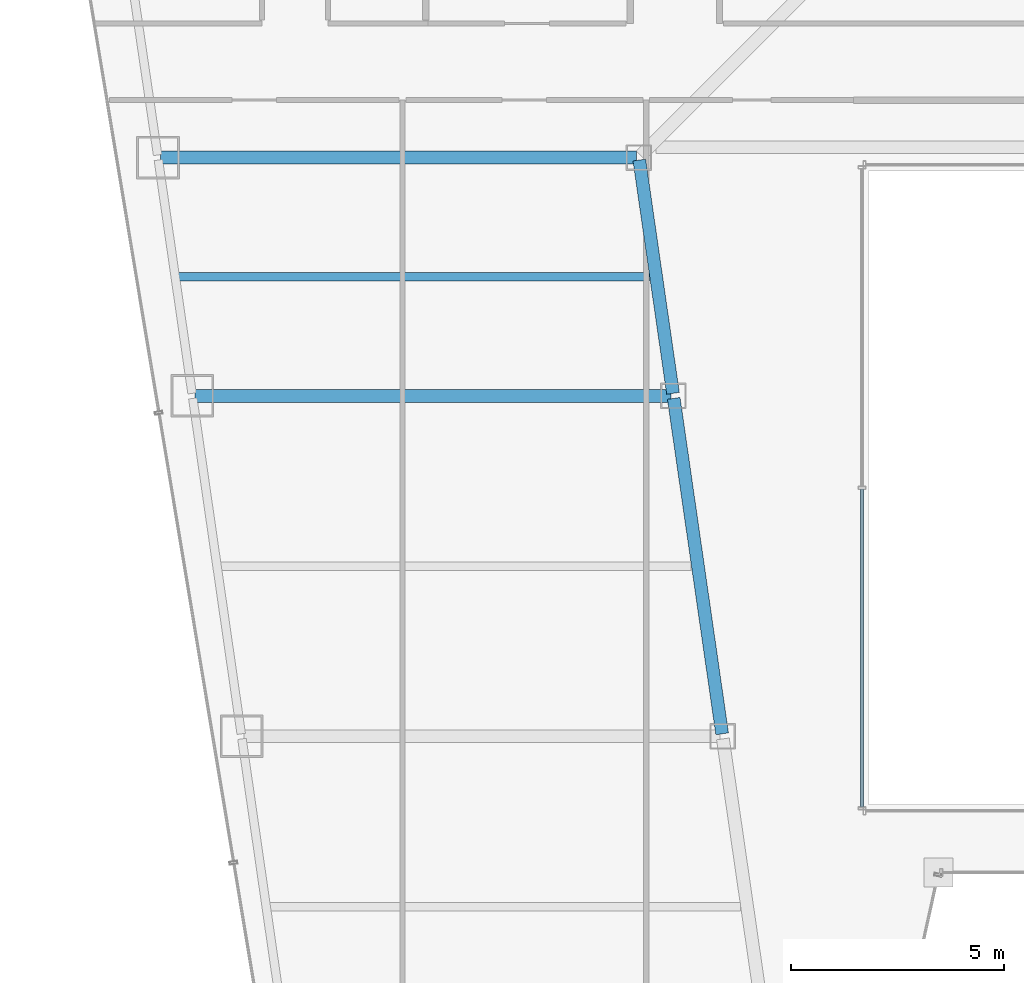
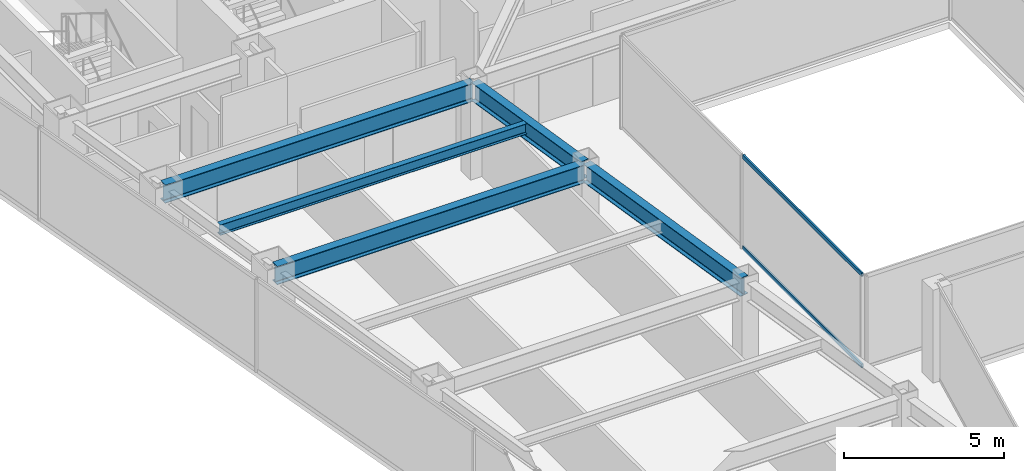
# One storey, part 10 of 38: 5 beams, 2 members, 1 element without a shape of its own.
"""IFC4 building model written with IfcOpenShell, lengths in metres."""

from ifc_helpers import new_model, si_unit, direction, frame, origin, origin_2d, place, context, subcontext, project, spatial, hollow_rectangle, i_section, extrude, material, material_profile, profile_set, type_object, element, aggregate, save


model = new_model("IFC4")

# Units and contexts
model_context = context("Model", 3, precision=1e-05, world=origin(), true_north=direction((0.0, 1.0)))
body_context = subcontext(model_context, "Body", "Model", "MODEL_VIEW")
ifc_project = project(units=[si_unit("LENGTHUNIT", "METRE"), si_unit("AREAUNIT", "SQUARE_METRE"), si_unit("VOLUMEUNIT", "CUBIC_METRE"), si_unit("PLANEANGLEUNIT", "RADIAN"), si_unit("MASSUNIT", "GRAM", prefix="KILO")], contexts=[model_context])

# Site, building, storey
site_placement = place(None, origin())
site = spatial("IfcSite", under=ifc_project, at=site_placement, CompositionType="ELEMENT")
building_placement = place(site_placement, origin())
building = spatial("IfcBuilding", under=site, at=building_placement, Name="Saevonmaru Cultural Tower", CompositionType="ELEMENT")
storey_placement = place(building_placement, frame((0.0, 0.0, 133.39990234375)))
storey = spatial("IfcBuildingStorey", under=building, at=storey_placement, Name="L28", CompositionType="ELEMENT", Elevation=133.39990234375)

# Beams
ifc_material_1 = material(Name="Steel SM355", Category="steel")
ifc_material_profile_1 = material_profile(ifc_material_1, i_section(OverallWidth=0.300048828125, OverallDepth=0.699951171875, WebThickness=0.012939453125, FlangeThickness=0.02392578125, FilletRadius=0.02587890625, at=origin_2d()), Name="H-700x300x13x24")
ifc_profile_set_1 = profile_set([ifc_material_profile_1], Name="Steel SM355")
beam_type_1 = type_object("IfcBeamType", Name="BM-G-H700", PredefinedType="BEAM", material=ifc_profile_set_1)
beam_1_placement = place(storey_placement, frame((20.763427734375, 24.059326171875, 3.2001953125), z_axis=(-0.142902032203, 0.989736838353, 0.0), x_axis=(-0.989736838353, -0.142902032203, 0.0)))
element("IfcBeam", 1, at=beam_1_placement, inside=storey, type_object=beam_type_1, Name="L28 West Atrium Girder 3", PredefinedType="BEAM", context=body_context, shape_type="SweptSolid", body=[
    extrude(i_section(OverallWidth=0.300048828125, OverallDepth=0.699951171875, WebThickness=0.012939453125, FlangeThickness=0.02392578125, FilletRadius=0.02587890625, at=origin_2d()), origin(), (0.0, 0.0, 1.0), 7.963134765625),
])
beam_2_placement = place(storey_placement, frame((19.6083984375, 32.059326171875, 3.2001953125), z_axis=(-0.142964121327, 0.989727871697, 0.0), x_axis=(-0.989727871697, -0.142964121327, 0.0)))
element("IfcBeam", 2, at=beam_2_placement, inside=storey, type_object=beam_type_1, Name="L28 West Atrium Girder 4", PredefinedType="BEAM", context=body_context, shape_type="SweptSolid", body=[
    extrude(i_section(OverallWidth=0.300048828125, OverallDepth=0.699951171875, WebThickness=0.012939453125, FlangeThickness=0.02392578125, FilletRadius=0.02587890625, at=origin_2d()), origin(), (0.0, 0.0, 1.0), 5.5380859375),
])
for number, where, z_axis, x_axis, name in (
    (3, (8.376953125, 32.0, 3.2001953125), (1.0, 0.0, 0.0), (0.0, 1.0, 0.0), "L28 West Wing Transverse Girder 4"),
    (4, (7.568115234375, 37.60009765625, 3.2001953125), (1.0, 0.0, 0.0), (0.0, 1.0, 0.0), "L28 West Wing Transverse Girder 5"),
):
    element("IfcBeam", number, at=place(storey_placement, frame(where, z_axis=z_axis, x_axis=x_axis)), inside=storey, type_object=beam_type_1, Name=name, PredefinedType="BEAM", context=body_context, shape_type="SweptSolid", body=[
        extrude(i_section(OverallWidth=0.300048828125, OverallDepth=0.699951171875, WebThickness=0.012939453125, FlangeThickness=0.02392578125, FilletRadius=0.02587890625, at=origin_2d()), origin(), (0.0, 0.0, 1.0), 11.179931640625),
    ])
ifc_material_profile_2 = material_profile(ifc_material_1, i_section(OverallWidth=0.199951171875, OverallDepth=0.39990234375, WebThickness=0.008056640625, FlangeThickness=0.012939453125, FilletRadius=0.01611328125, at=origin_2d()), Name="H-400x200x8x13")
ifc_profile_set_2 = profile_set([ifc_material_profile_2], Name="Steel SM355")
beam_type_2 = type_object("IfcBeamType", Name="BM-J-H400", PredefinedType="JOIST", material=ifc_profile_set_2)
beam_3_placement = place(storey_placement, frame((7.972412109375, 34.800048828125, 3.35009765625), z_axis=(1.0, 0.0, 0.0), x_axis=(0.0, 1.0, 0.0)))
element("IfcBeam", 5, at=beam_3_placement, inside=storey, type_object=beam_type_2, Name="L28 West Wing Floor Joist 4", PredefinedType="JOIST", context=body_context, shape_type="SweptSolid", body=[
    extrude(i_section(OverallWidth=0.199951171875, OverallDepth=0.39990234375, WebThickness=0.008056640625, FlangeThickness=0.012939453125, FilletRadius=0.01611328125, at=origin_2d()), origin(), (0.0, 0.0, 1.0), 11.08203125),
])

# Curtain wall, members
ifc_material_2 = material(Name="Satin Bronze Anodised Aluminium", Category="aluminium")
curtain_wall_type = type_object("IfcCurtainWallType", Name="CW-ATR-GLZ", PredefinedType="NOTDEFINED", material=ifc_material_2)
curtain_wall_placement = place(storey_placement, origin())
curtain_wall = element("IfcCurtainWall", 6, at=curtain_wall_placement, inside=storey, type_object=curtain_wall_type, Name="L28 Vertical Atrium Glazed Smoke Screen 4", PredefinedType="NOTDEFINED")
ifc_material_profile_3 = material_profile(ifc_material_2, hollow_rectangle(XDim=0.06494140625, YDim=0.14990234375, WallThickness=0.00390625, at=origin_2d()), Name="ALU-TRAN-150x65x4")
ifc_profile_set_3 = profile_set([ifc_material_profile_3], Name="Satin Bronze Anodised Aluminium")
member_type = type_object("IfcMemberType", Name="TR-CW-INT-150x65", PredefinedType="USERDEFINED", material=ifc_profile_set_3)
member_1_placement = place(storey_placement, frame((24.050048828125, 29.8076171875, 0.03271484375), z_axis=(0.0, -1.0, 0.0), x_axis=(1.0, 0.0, 0.0)))
member_1 = element("IfcMember", 7, at=member_1_placement, type_object=member_type, Name="CW-ATR-L28-4 transom 2.1", ObjectType="TRANSOM", PredefinedType="USERDEFINED", context=body_context, shape_type="SweptSolid", body=[
    extrude(hollow_rectangle(XDim=0.06494140625, YDim=0.14990234375, WallThickness=0.00390625, at=origin_2d()), origin(), (0.0, 0.0, 1.0), 7.465087890625),
])
member_2_placement = place(storey_placement, frame((24.050048828125, 29.8076171875, 3.517578125), z_axis=(0.0, -1.0, 0.0), x_axis=(1.0, 0.0, 0.0)))
member_2 = element("IfcMember", 8, at=member_2_placement, type_object=member_type, Name="CW-ATR-L28-4 transom 2.2", ObjectType="TRANSOM", PredefinedType="USERDEFINED", context=body_context, shape_type="SweptSolid", body=[
    extrude(hollow_rectangle(XDim=0.06494140625, YDim=0.14990234375, WallThickness=0.00390625, at=origin_2d()), origin(), (0.0, 0.0, 1.0), 7.465087890625),
])
aggregate(curtain_wall, [member_1, member_2])

save(model, "model.ifc")
